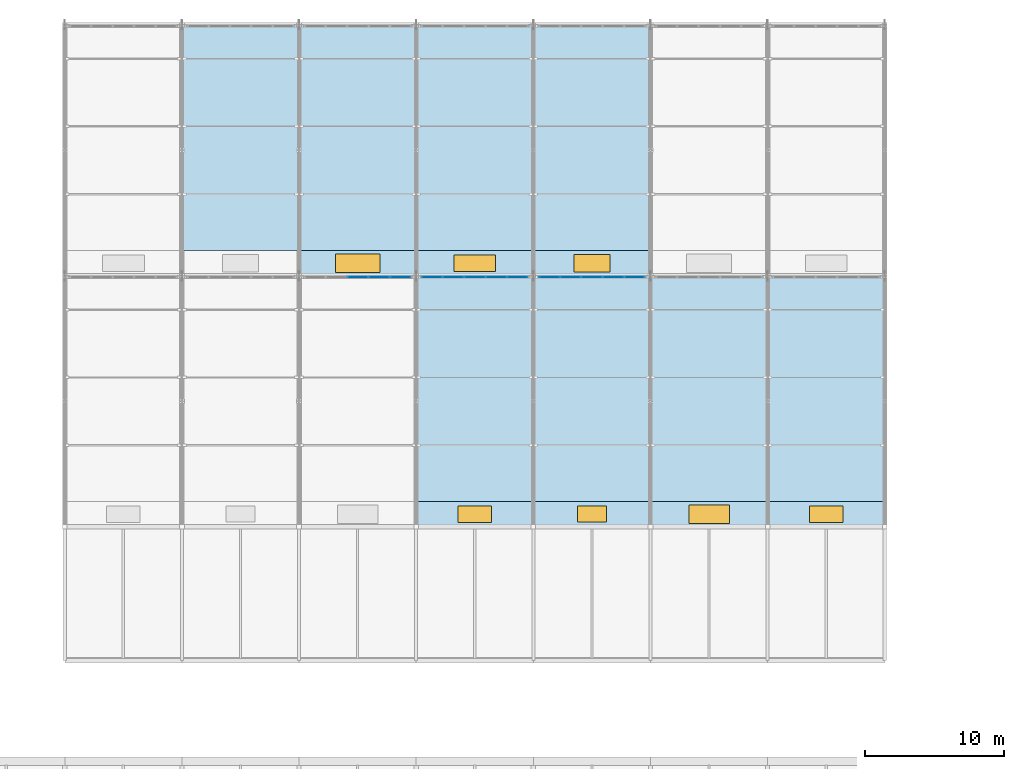
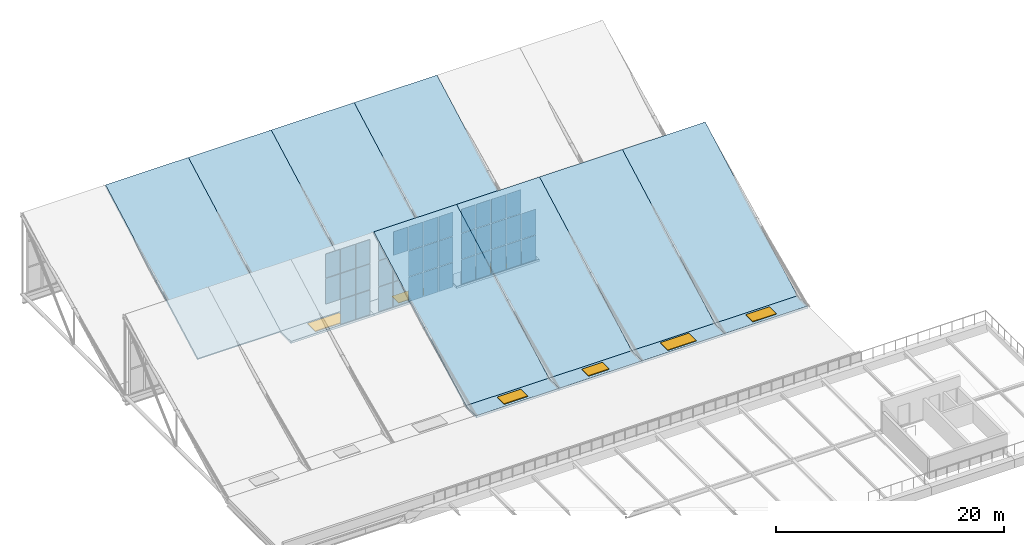
# One storey, part 30 of 38: 37 plates, 15 slabs, 7 windows, 7 openings, 3 elements without a shape of their own.
"""IFC4 building model written with IfcOpenShell, lengths in metres."""

import ifcopenshell
import ifcopenshell.guid

model = None  # the IFC model being written
_history = None  # IfcOwnerHistory: only IFC2X3 demands one
_inside = {}  # id of a spatial element -> (the spatial element, [elements in it])
_under = {}  # id of a project, library or spatial element -> (it, [spatial elements below it])
_declared = {}  # id of a project -> (the project, [libraries it declares])
_typed = {}  # id of a type object -> (the type object, [elements of that type])
_made_of = {}  # id of a material, layer set ... -> (it, [elements and type objects made of it])


def new_model(schema):
    """Start an empty IFC model of exactly this schema.

    Asked for "IFC4X3", IfcOpenShell would pick the latest addendum, in which some entities
    have other attributes; the version numbers below select the first issue.
    IFC2X3 requires an IfcOwnerHistory on every rooted entity: one is made here for all.
    """
    global model, _history
    if schema == "IFC4X3":
        model = ifcopenshell.file(schema_version=(4, 3, 0, 0))
    else:
        model = ifcopenshell.file(schema=schema)
    _inside.clear()
    _under.clear()
    _declared.clear()
    _typed.clear()
    _made_of.clear()
    _history = None
    if model.schema == "IFC2X3":
        org = make("IfcOrganization", Name="unknown")
        user = make(
            "IfcPersonAndOrganization",
            ThePerson=make("IfcPerson", FamilyName="unknown"),
            TheOrganization=org,
        )
        app = make(
            "IfcApplication",
            ApplicationDeveloper=org,
            Version="unknown",
            ApplicationFullName="unknown",
            ApplicationIdentifier="unknown",
        )
        _history = make(
            "IfcOwnerHistory",
            OwningUser=user,
            OwningApplication=app,
            ChangeAction="ADDED",
            CreationDate=0,
        )
    return model


def make(cls, **values):
    """One entity of the class cls with the attributes given. An attribute that is None is left unset."""
    return model.create_entity(
        cls, **{name: value for name, value in values.items() if value is not None}
    )


def rooted(cls, **values):
    """An entity with a GlobalId (a new one), such as an element, a storey or a relation."""
    return make(cls, GlobalId=ifcopenshell.guid.new(), OwnerHistory=_history, **values)


def si_unit(unit_type, name, prefix=None):
    """IfcSIUnit, for example si_unit("LENGTHUNIT", "METRE", prefix="MILLI")."""
    return make("IfcSIUnit", UnitType=unit_type, Prefix=prefix, Name=name)


def assignment(units):
    """IfcUnitAssignment: the units of a project."""
    return None if units is None else make("IfcUnitAssignment", Units=units)


def point(xyz):
    """IfcCartesianPoint."""
    return None if xyz is None else make("IfcCartesianPoint", Coordinates=xyz)


def direction(xyz):
    """IfcDirection."""
    return None if xyz is None else make("IfcDirection", DirectionRatios=xyz)


def frame(location, z_axis=None, x_axis=None):
    """IfcAxis2Placement3D, a coordinate frame: its origin and axes. An axis left out is left unset."""
    return make(
        "IfcAxis2Placement3D",
        Location=point(location),
        Axis=direction(z_axis),
        RefDirection=direction(x_axis),
    )


def frame_2d(location, x_axis=None):
    """IfcAxis2Placement2D, a coordinate frame in the plane: its origin and x axis."""
    return make(
        "IfcAxis2Placement2D", Location=point(location), RefDirection=direction(x_axis)
    )


def origin():
    """The frame at (0, 0, 0) with its axes left unset."""
    return frame((0.0, 0.0, 0.0))


def origin_2d():
    """The frame at (0, 0) in the plane with its x axis left unset."""
    return frame_2d((0.0, 0.0))


def place(relative_to, where):
    """IfcLocalPlacement: puts the frame where relative to a parent placement (None: the world)."""
    return make(
        "IfcLocalPlacement", PlacementRelTo=relative_to, RelativePlacement=where
    )


def context(
    kind, dimensions, precision=None, world=None, true_north=None, identifier=None
):
    """IfcGeometricRepresentationContext, for example the 3D "Model" context."""
    return make(
        "IfcGeometricRepresentationContext",
        ContextIdentifier=identifier,
        ContextType=kind,
        CoordinateSpaceDimension=dimensions,
        Precision=precision,
        WorldCoordinateSystem=world,
        TrueNorth=true_north,
    )


def subcontext(parent, identifier, kind, view, scale=None):
    """IfcGeometricRepresentationSubContext, for example "Body" below "Model"."""
    return make(
        "IfcGeometricRepresentationSubContext",
        ContextIdentifier=identifier,
        ContextType=kind,
        ParentContext=parent,
        TargetScale=scale,
        TargetView=view,
    )


def project(units=None, contexts=None):
    """IfcProject with its units and contexts."""
    return rooted(
        "IfcProject",
        Name="project",
        RepresentationContexts=contexts,
        UnitsInContext=assignment(units),
    )


def spatial(cls, under=None, at=None, **own):
    """A site, building, storey or space (cls), placed at a placement, below another one or the project."""
    s = rooted(cls, ObjectPlacement=at, **own)
    if under is not None:
        _under.setdefault(under.id(), (under, []))[1].append(s)
    return s


def polyline(points):
    """IfcPolyline through the points."""
    return make("IfcPolyline", Points=[point(p) for p in points])


def profile(cls, at=None, kind="AREA", **sizes):
    """A parametric profile (cls). Its sizes go by their IFC names, for example OverallWidth=200.0."""
    return make(cls, ProfileType=kind, Position=at, **sizes)


def rectangle(**sizes):
    """IfcRectangleProfileDef."""
    return profile("IfcRectangleProfileDef", **sizes)


def outline(outer, holes=None, kind="AREA"):
    """IfcArbitraryClosedProfileDef: a profile drawn as a closed curve; with holes, ...WithVoids."""
    if holes is None:
        return make("IfcArbitraryClosedProfileDef", ProfileType=kind, OuterCurve=outer)
    return make(
        "IfcArbitraryProfileDefWithVoids",
        ProfileType=kind,
        OuterCurve=outer,
        InnerCurves=holes,
    )


def extrude(swept, where, along, depth):
    """IfcExtrudedAreaSolid: the profile swept, set in the frame where, extruded along a direction by depth."""
    return make(
        "IfcExtrudedAreaSolid",
        SweptArea=swept,
        Position=where,
        ExtrudedDirection=direction(along),
        Depth=depth,
    )


def shape(context_of_items, identifier, shape_type, items):
    """IfcShapeRepresentation: the items that make up one representation, for example the "Body"."""
    return make(
        "IfcShapeRepresentation",
        ContextOfItems=context_of_items,
        RepresentationIdentifier=identifier,
        RepresentationType=shape_type,
        Items=items,
    )


def material(Name=None, Category=None):
    """IfcMaterial."""
    return make("IfcMaterial", Name=Name, Category=Category)


def layer(
    of_material, thickness, ventilated=None, Name=None, Category=None, Priority=None
):
    """IfcMaterialLayer: one layer of a wall or slab, of a material (None: an air gap)."""
    return make(
        "IfcMaterialLayer",
        Material=of_material,
        LayerThickness=thickness,
        IsVentilated=ventilated,
        Name=Name,
        Category=Category,
        Priority=Priority,
    )


def layer_set(layers, Name=None):
    """IfcMaterialLayerSet."""
    return make("IfcMaterialLayerSet", MaterialLayers=layers, LayerSetName=Name)


def made_of(thing, what):
    """Note that an element or type object is made of a material, layer set ...; save() writes the relation."""
    if what is not None:
        _made_of.setdefault(what.id(), (what, []))[1].append(thing)
    return thing


def type_object(cls, material=None, **own):
    """A type object (cls), such as IfcWallType, which elements share."""
    return made_of(rooted(cls, **own), material)


def element(
    cls,
    number,
    at=None,
    inside=None,
    cuts=None,
    type_object=None,
    material=None,
    context=None,
    identifier="Body",
    shape_type=None,
    held_by="IfcProductDefinitionShape",
    body=None,
    shapes=None,
    **own,
):
    """One element of the class cls, such as IfcWall. Its Tag is "e" and its number.

    at: its placement. inside: the storey or other place that contains it. cuts: it is an
    opening in that element (IfcRelVoidsElement). A single representation is given by context,
    identifier, shape_type and body (its items); several are given by shapes. held_by: the class
    of the entity that holds the representations. save() writes the other relations.
    """
    e = rooted(cls, Tag="e%d" % number, ObjectPlacement=at, **own)
    if body is not None:
        shapes = [shape(context, identifier, shape_type, body)]
    if shapes is not None:
        e.Representation = make(held_by, Representations=shapes)
    if inside is not None:
        _inside.setdefault(inside.id(), (inside, []))[1].append(e)
    if cuts is not None:
        rooted(
            "IfcRelVoidsElement", RelatingBuildingElement=cuts, RelatedOpeningElement=e
        )
    if type_object is not None:
        _typed.setdefault(type_object.id(), (type_object, []))[1].append(e)
    return made_of(e, material)


def fill(opening, filler):
    """IfcRelFillsElement: the door or window that sits in an opening."""
    return rooted(
        "IfcRelFillsElement",
        RelatingOpeningElement=opening,
        RelatedBuildingElement=filler,
    )


def aggregate(whole, parts):
    """IfcRelAggregates: a whole, such as a stair, and the parts it consists of."""
    return rooted("IfcRelAggregates", RelatingObject=whole, RelatedObjects=parts)


def save(model, path):
    """Write the relations noted so far, then the file.

    IfcRelAggregates (storeys below a building ...), IfcRelContainedInSpatialStructure (elements
    in a storey), IfcRelDefinesByType, IfcRelAssociatesMaterial and IfcRelDeclares: one each for
    every whole, place, type object, material and project.
    """
    for whole, parts in _under.values():
        aggregate(whole, parts)
    for where, things in _inside.values():
        rooted(
            "IfcRelContainedInSpatialStructure",
            RelatedElements=things,
            RelatingStructure=where,
        )
    for kind, things in _typed.values():
        rooted("IfcRelDefinesByType", RelatedObjects=things, RelatingType=kind)
    for what, things in _made_of.values():
        rooted("IfcRelAssociatesMaterial", RelatedObjects=things, RelatingMaterial=what)
    for by, libraries in _declared.values():
        rooted("IfcRelDeclares", RelatingContext=by, RelatedDefinitions=libraries)
    model.write(path)


model = new_model("IFC4")

# Units and contexts
model_context = context("Model", 3, precision=1e-05, world=origin(), true_north=direction((0.0, 1.0)))
body_context = subcontext(model_context, "Body", "Model", "MODEL_VIEW")
ifc_project = project(units=[si_unit("LENGTHUNIT", "METRE"), si_unit("AREAUNIT", "SQUARE_METRE"), si_unit("VOLUMEUNIT", "CUBIC_METRE"), si_unit("PLANEANGLEUNIT", "RADIAN"), si_unit("MASSUNIT", "GRAM", prefix="KILO")], contexts=[model_context])

# Site, building, storey
site_placement = place(None, origin())
site = spatial("IfcSite", under=ifc_project, at=site_placement, CompositionType="ELEMENT")
building_placement = place(site_placement, origin())
building = spatial("IfcBuilding", under=site, at=building_placement, Name="Veltarok Museum of Natural Sciences", CompositionType="ELEMENT")
storey_placement = place(building_placement, frame((0.0, 0.0, 31.199951171875)))
storey = spatial("IfcBuildingStorey", under=building, at=storey_placement, Name="RF", CompositionType="ELEMENT", Elevation=31.199951171875)

# Slab, opening, window
ifc_material_1 = material(Name="Concrete C35/45", Category="concrete")
ifc_layer_1 = layer(ifc_material_1, 0.239990234375)
ifc_layer_set_1 = layer_set([ifc_layer_1], Name="Concrete C35/45")
slab_type_1 = type_object("IfcSlabType", Name="Insulated Flat Wing Roof Slab 240", PredefinedType="ROOF", material=ifc_layer_set_1)
slab_1_placement = place(storey_placement, frame((0.0, 0.0, -6.0400390625)))
slab_1 = element("IfcSlab", 1, at=slab_1_placement, inside=storey, type_object=slab_type_1, Name="Sawtooth Valley Apron Slab 7-8 M2", PredefinedType="ROOF", context=body_context, shape_type="SweptSolid", body=[
    extrude(outline(polyline([(56.800048828125, 54.0), (65.199951171875, 54.0), (65.199951171875, 55.800048828125), (56.800048828125, 55.800048828125), (56.800048828125, 54.0)])), origin(), (0.0, 0.0, 1.0), 0.239990234375),
])
opening_1_placement = place(slab_1_placement, frame((61.0, 54.89990234375, -0.010009765625)))
opening_1 = element("IfcOpeningElement", 2, at=opening_1_placement, cuts=slab_1, Name="Opening SK-06", PredefinedType="OPENING", context=body_context, shape_type="SweptSolid", body=[
    extrude(rectangle(XDim=3.199951171875, YDim=1.35009765625, at=origin_2d()), origin(), (0.0, 0.0, 1.0), 0.320068359375),
])
ifc_material_2 = material(Name="Low-iron triple insulated glass", Category="glass")
window_type_1 = type_object("IfcWindowType", Name="Sawtooth Gallery Rooflight 3200x1350", PartitioningType="SINGLE_PANEL", PredefinedType="SKYLIGHT", material=ifc_material_2)
window_1_placement = place(slab_1_placement, frame((61.0, 54.89990234375, 0.239990234375)))
window_1 = element("IfcWindow", 3, at=window_1_placement, inside=storey, type_object=window_type_1, Name="Sawtooth North Rooflight SK-06", OverallHeight=1.35009765625, OverallWidth=3.199951171875, PartitioningType="SINGLE_PANEL", PredefinedType="SKYLIGHT", context=body_context, shape_type="SweptSolid", body=[
    extrude(rectangle(XDim=3.199951171875, YDim=1.35009765625, at=origin_2d()), origin(), (0.0, 0.0, 1.0), 0.06005859375),
])
fill(opening_1, window_1)

slab_2_placement = place(storey_placement, frame((0.0, 0.0, -6.0400390625)))
slab_2 = element("IfcSlab", 4, at=slab_2_placement, inside=storey, type_object=slab_type_1, Name="Sawtooth Valley Apron Slab 8-9 M1", PredefinedType="ROOF", context=body_context, shape_type="SweptSolid", body=[
    extrude(outline(polyline([(65.199951171875, 36.0), (73.60009765625, 36.0), (73.60009765625, 37.800048828125), (65.199951171875, 37.800048828125), (65.199951171875, 36.0)])), origin(), (0.0, 0.0, 1.0), 0.239990234375),
])
opening_2_placement = place(slab_2_placement, frame((69.39990234375, 36.89990234375, -0.010009765625)))
opening_2 = element("IfcOpeningElement", 5, at=opening_2_placement, cuts=slab_2, Name="Opening SK-07", PredefinedType="OPENING", context=body_context, shape_type="SweptSolid", body=[
    extrude(rectangle(XDim=2.39990234375, YDim=1.199951171875, at=origin_2d()), origin(), (0.0, 0.0, 1.0), 0.320068359375),
])
window_type_2 = type_object("IfcWindowType", Name="Sawtooth Valley North Rooflight 2400x1200", PartitioningType="SINGLE_PANEL", PredefinedType="SKYLIGHT", material=ifc_material_2)
window_2_placement = place(slab_2_placement, frame((69.39990234375, 36.89990234375, 0.239990234375)))
window_2 = element("IfcWindow", 6, at=window_2_placement, inside=storey, type_object=window_type_2, Name="Sawtooth North Rooflight SK-07", OverallHeight=1.199951171875, OverallWidth=2.39990234375, PartitioningType="SINGLE_PANEL", PredefinedType="SKYLIGHT", context=body_context, shape_type="SweptSolid", body=[
    extrude(rectangle(XDim=2.39990234375, YDim=1.199951171875, at=origin_2d()), origin(), (0.0, 0.0, 1.0), 0.06005859375),
])
fill(opening_2, window_2)

slab_3_placement = place(storey_placement, frame((0.0, 0.0, -6.0400390625)))
slab_3 = element("IfcSlab", 7, at=slab_3_placement, inside=storey, type_object=slab_type_1, Name="Sawtooth Valley Apron Slab 8-9 M2", PredefinedType="ROOF", context=body_context, shape_type="SweptSolid", body=[
    extrude(outline(polyline([(65.199951171875, 54.0), (73.60009765625, 54.0), (73.60009765625, 55.800048828125), (65.199951171875, 55.800048828125), (65.199951171875, 54.0)])), origin(), (0.0, 0.0, 1.0), 0.239990234375),
])
opening_3_placement = place(slab_3_placement, frame((69.39990234375, 54.89990234375, -0.010009765625)))
opening_3 = element("IfcOpeningElement", 8, at=opening_3_placement, cuts=slab_3, Name="Opening SK-08", PredefinedType="OPENING", context=body_context, shape_type="SweptSolid", body=[
    extrude(rectangle(XDim=3.0, YDim=1.199951171875, at=origin_2d()), origin(), (0.0, 0.0, 1.0), 0.320068359375),
])
window_type_3 = type_object("IfcWindowType", Name="Sawtooth Atrium North Rooflight 3000x1200", PartitioningType="SINGLE_PANEL", PredefinedType="SKYLIGHT", material=ifc_material_2)
window_3_placement = place(slab_3_placement, frame((69.39990234375, 54.89990234375, 0.239990234375)))
window_3 = element("IfcWindow", 9, at=window_3_placement, inside=storey, type_object=window_type_3, Name="Sawtooth North Rooflight SK-08", OverallHeight=1.199951171875, OverallWidth=3.0, PartitioningType="SINGLE_PANEL", PredefinedType="SKYLIGHT", context=body_context, shape_type="SweptSolid", body=[
    extrude(rectangle(XDim=3.0, YDim=1.199951171875, at=origin_2d()), origin(), (0.0, 0.0, 1.0), 0.06005859375),
])
fill(opening_3, window_3)

slab_4_placement = place(storey_placement, frame((0.0, 0.0, -6.0400390625)))
slab_4 = element("IfcSlab", 10, at=slab_4_placement, inside=storey, type_object=slab_type_1, Name="Sawtooth Valley Apron Slab 9-10 M1", PredefinedType="ROOF", context=body_context, shape_type="SweptSolid", body=[
    extrude(outline(polyline([(73.60009765625, 36.0), (82.0, 36.0), (82.0, 37.800048828125), (73.60009765625, 37.800048828125), (73.60009765625, 36.0)])), origin(), (0.0, 0.0, 1.0), 0.239990234375),
])
opening_4_placement = place(slab_4_placement, frame((77.800048828125, 36.89990234375, -0.010009765625)))
opening_4 = element("IfcOpeningElement", 11, at=opening_4_placement, cuts=slab_4, Name="Opening SK-09", PredefinedType="OPENING", context=body_context, shape_type="SweptSolid", body=[
    extrude(rectangle(XDim=2.10009765625, YDim=1.14990234375, at=origin_2d()), origin(), (0.0, 0.0, 1.0), 0.320068359375),
])
window_type_4 = type_object("IfcWindowType", Name="Sawtooth Gallery Rooflight 2100x1150", PartitioningType="SINGLE_PANEL", PredefinedType="SKYLIGHT", material=ifc_material_2)
window_4_placement = place(slab_4_placement, frame((77.800048828125, 36.89990234375, 0.239990234375)))
window_4 = element("IfcWindow", 12, at=window_4_placement, inside=storey, type_object=window_type_4, Name="Sawtooth North Rooflight SK-09", OverallHeight=1.14990234375, OverallWidth=2.10009765625, PartitioningType="SINGLE_PANEL", PredefinedType="SKYLIGHT", context=body_context, shape_type="SweptSolid", body=[
    extrude(rectangle(XDim=2.10009765625, YDim=1.14990234375, at=origin_2d()), origin(), (0.0, 0.0, 1.0), 0.06005859375),
])
fill(opening_4, window_4)

slab_5_placement = place(storey_placement, frame((0.0, 0.0, -6.0400390625)))
slab_5 = element("IfcSlab", 13, at=slab_5_placement, inside=storey, type_object=slab_type_1, Name="Sawtooth Valley Apron Slab 9-10 M2", PredefinedType="ROOF", context=body_context, shape_type="SweptSolid", body=[
    extrude(outline(polyline([(73.60009765625, 54.0), (82.0, 54.0), (82.0, 55.800048828125), (73.60009765625, 55.800048828125), (73.60009765625, 54.0)])), origin(), (0.0, 0.0, 1.0), 0.239990234375),
])
opening_5_placement = place(slab_5_placement, frame((77.800048828125, 54.89990234375, -0.010009765625)))
opening_5 = element("IfcOpeningElement", 14, at=opening_5_placement, cuts=slab_5, Name="Opening SK-10", PredefinedType="OPENING", context=body_context, shape_type="SweptSolid", body=[
    extrude(rectangle(XDim=2.60009765625, YDim=1.25, at=origin_2d()), origin(), (0.0, 0.0, 1.0), 0.320068359375),
])
window_type_5 = type_object("IfcWindowType", Name="Sawtooth Gallery Rooflight 2600x1250", PartitioningType="SINGLE_PANEL", PredefinedType="SKYLIGHT", material=ifc_material_2)
window_5_placement = place(slab_5_placement, frame((77.800048828125, 54.89990234375, 0.239990234375)))
window_5 = element("IfcWindow", 15, at=window_5_placement, inside=storey, type_object=window_type_5, Name="Sawtooth North Rooflight SK-10", OverallHeight=1.25, OverallWidth=2.60009765625, PartitioningType="SINGLE_PANEL", PredefinedType="SKYLIGHT", context=body_context, shape_type="SweptSolid", body=[
    extrude(rectangle(XDim=2.60009765625, YDim=1.25, at=origin_2d()), origin(), (0.0, 0.0, 1.0), 0.06005859375),
])
fill(opening_5, window_5)

slab_6_placement = place(storey_placement, frame((0.0, 0.0, -6.0400390625)))
slab_6 = element("IfcSlab", 16, at=slab_6_placement, inside=storey, type_object=slab_type_1, Name="Sawtooth Valley Apron Slab 10-11 M1", PredefinedType="ROOF", context=body_context, shape_type="SweptSolid", body=[
    extrude(outline(polyline([(82.0, 36.0), (90.39990234375, 36.0), (90.39990234375, 37.800048828125), (82.0, 37.800048828125), (82.0, 36.0)])), origin(), (0.0, 0.0, 1.0), 0.239990234375),
])
opening_6_placement = place(slab_6_placement, frame((86.199951171875, 36.89990234375, -0.010009765625)))
opening_6 = element("IfcOpeningElement", 17, at=opening_6_placement, cuts=slab_6, Name="Opening SK-11", PredefinedType="OPENING", context=body_context, shape_type="SweptSolid", body=[
    extrude(rectangle(XDim=2.89990234375, YDim=1.300048828125, at=origin_2d()), origin(), (0.0, 0.0, 1.0), 0.320068359375),
])
window_type_6 = type_object("IfcWindowType", Name="Sawtooth Gallery Rooflight 2900x1300", PartitioningType="SINGLE_PANEL", PredefinedType="SKYLIGHT", material=ifc_material_2)
window_6_placement = place(slab_6_placement, frame((86.199951171875, 36.89990234375, 0.239990234375)))
window_6 = element("IfcWindow", 18, at=window_6_placement, inside=storey, type_object=window_type_6, Name="Sawtooth North Rooflight SK-11", OverallHeight=1.300048828125, OverallWidth=2.89990234375, PartitioningType="SINGLE_PANEL", PredefinedType="SKYLIGHT", context=body_context, shape_type="SweptSolid", body=[
    extrude(rectangle(XDim=2.89990234375, YDim=1.300048828125, at=origin_2d()), origin(), (0.0, 0.0, 1.0), 0.06005859375),
])
fill(opening_6, window_6)

slab_7_placement = place(storey_placement, frame((0.0, 0.0, -6.0400390625)))
slab_7 = element("IfcSlab", 19, at=slab_7_placement, inside=storey, type_object=slab_type_1, Name="Sawtooth Valley Apron Slab 11-12 M1", PredefinedType="ROOF", context=body_context, shape_type="SweptSolid", body=[
    extrude(outline(polyline([(90.39990234375, 36.0), (98.800048828125, 36.0), (98.800048828125, 37.800048828125), (90.39990234375, 37.800048828125), (90.39990234375, 36.0)])), origin(), (0.0, 0.0, 1.0), 0.239990234375),
])
opening_7_placement = place(slab_7_placement, frame((94.60009765625, 36.89990234375, -0.010009765625)))
opening_7 = element("IfcOpeningElement", 20, at=opening_7_placement, cuts=slab_7, Name="Opening SK-13", PredefinedType="OPENING", context=body_context, shape_type="SweptSolid", body=[
    extrude(rectangle(XDim=2.39990234375, YDim=1.199951171875, at=origin_2d()), origin(), (0.0, 0.0, 1.0), 0.320068359375),
])
window_7_placement = place(slab_7_placement, frame((94.60009765625, 36.89990234375, 0.239990234375)))
window_7 = element("IfcWindow", 21, at=window_7_placement, inside=storey, type_object=window_type_2, Name="Sawtooth North Rooflight SK-13", OverallHeight=1.199951171875, OverallWidth=2.39990234375, PartitioningType="SINGLE_PANEL", PredefinedType="SKYLIGHT", context=body_context, shape_type="SweptSolid", body=[
    extrude(rectangle(XDim=2.39990234375, YDim=1.199951171875, at=origin_2d()), origin(), (0.0, 0.0, 1.0), 0.06005859375),
])
fill(opening_7, window_7)

# Curtain wall, plates
curtain_wall_type = type_object("IfcCurtainWallType", Name="Curtain Wall System CW-SAW-M1-768x817 (Sawtooth North Clerestory M1 768x817cm)", PredefinedType="NOTDEFINED", material=ifc_material_2)
curtain_wall_1_placement = place(storey_placement, origin())
curtain_wall_1 = element("IfcCurtainWall", 22, at=curtain_wall_1_placement, inside=storey, type_object=curtain_wall_type, Name="Curtain Wall CW-SAW-M1-768x817 CW-SAW-0076", PredefinedType="NOTDEFINED")
ifc_layer_2 = layer(ifc_material_2, 0.031982421875)
ifc_layer_set_2 = layer_set([ifc_layer_2], Name="Low-iron triple insulated glass")
plate_type = type_object("IfcPlateType", Name="North-Light Diffusing Triple Glazed Panel 32", PredefinedType="CURTAIN_PANEL", material=ifc_layer_set_2)
plate_1_placement = place(storey_placement, frame((64.056884765625, 53.919921875, -5.659912109375), z_axis=(0.0, 0.0, 1.0), x_axis=(-1.0, 0.0, 0.0)))
plate_1 = element("IfcPlate", 23, at=plate_1_placement, type_object=plate_type, Name="CW-SAW-M1-768x817 panel 1.1", PredefinedType="CURTAIN_PANEL", context=body_context, shape_type="SweptSolid", body=[
    extrude(rectangle(XDim=1.446044921875, YDim=0.031982421875, at=origin_2d()), origin(), (0.0, 0.0, 1.0), 2.6298828125),
])
plate_2_placement = place(storey_placement, frame((64.056884765625, 53.919921875, -2.9697265625), z_axis=(0.0, 0.0, 1.0), x_axis=(-1.0, 0.0, 0.0)))
plate_2 = element("IfcPlate", 24, at=plate_2_placement, type_object=plate_type, Name="CW-SAW-M1-768x817 panel 1.2", PredefinedType="CURTAIN_PANEL", context=body_context, shape_type="SweptSolid", body=[
    extrude(rectangle(XDim=1.446044921875, YDim=0.031982421875, at=origin_2d()), origin(), (0.0, 0.0, 1.0), 2.739990234375),
])
plate_3_placement = place(storey_placement, frame((64.056884765625, 53.919921875, -0.169921875), z_axis=(0.0, 0.0, 1.0), x_axis=(-1.0, 0.0, 0.0)))
plate_3 = element("IfcPlate", 25, at=plate_3_placement, type_object=plate_type, Name="CW-SAW-M1-768x817 panel 1.3", PredefinedType="CURTAIN_PANEL", context=body_context, shape_type="SweptSolid", body=[
    extrude(rectangle(XDim=1.446044921875, YDim=0.031982421875, at=origin_2d()), origin(), (0.0, 0.0, 1.0), 2.56005859375),
])
plate_4_placement = place(storey_placement, frame((62.535888671875, 53.919921875, -5.659912109375), z_axis=(0.0, 0.0, 1.0), x_axis=(-1.0, 0.0, 0.0)))
plate_4 = element("IfcPlate", 26, at=plate_4_placement, type_object=plate_type, Name="CW-SAW-M1-768x817 panel 2.1", PredefinedType="CURTAIN_PANEL", context=body_context, shape_type="SweptSolid", body=[
    extrude(rectangle(XDim=1.47607421875, YDim=0.031982421875, at=origin_2d()), origin(), (0.0, 0.0, 1.0), 2.6298828125),
])
plate_5_placement = place(storey_placement, frame((62.535888671875, 53.919921875, -2.9697265625), z_axis=(0.0, 0.0, 1.0), x_axis=(-1.0, 0.0, 0.0)))
plate_5 = element("IfcPlate", 27, at=plate_5_placement, type_object=plate_type, Name="CW-SAW-M1-768x817 panel 2.2", PredefinedType="CURTAIN_PANEL", context=body_context, shape_type="SweptSolid", body=[
    extrude(rectangle(XDim=1.47607421875, YDim=0.031982421875, at=origin_2d()), origin(), (0.0, 0.0, 1.0), 2.739990234375),
])
plate_6_placement = place(storey_placement, frame((62.535888671875, 53.919921875, -0.169921875), z_axis=(0.0, 0.0, 1.0), x_axis=(-1.0, 0.0, 0.0)))
plate_6 = element("IfcPlate", 28, at=plate_6_placement, type_object=plate_type, Name="CW-SAW-M1-768x817 panel 2.3", PredefinedType="CURTAIN_PANEL", context=body_context, shape_type="SweptSolid", body=[
    extrude(rectangle(XDim=1.47607421875, YDim=0.031982421875, at=origin_2d()), origin(), (0.0, 0.0, 1.0), 2.56005859375),
])
plate_7_placement = place(storey_placement, frame((61.0, 53.919921875, -2.9697265625), z_axis=(0.0, 0.0, 1.0), x_axis=(-1.0, 0.0, 0.0)))
plate_7 = element("IfcPlate", 29, at=plate_7_placement, type_object=plate_type, Name="CW-SAW-M1-768x817 panel 3.2", PredefinedType="CURTAIN_PANEL", context=body_context, shape_type="SweptSolid", body=[
    extrude(rectangle(XDim=1.47607421875, YDim=0.031982421875, at=origin_2d()), origin(), (0.0, 0.0, 1.0), 2.739990234375),
])
plate_8_placement = place(storey_placement, frame((61.0, 53.919921875, -0.169921875), z_axis=(0.0, 0.0, 1.0), x_axis=(-1.0, 0.0, 0.0)))
plate_8 = element("IfcPlate", 30, at=plate_8_placement, type_object=plate_type, Name="CW-SAW-M1-768x817 panel 3.3", PredefinedType="CURTAIN_PANEL", context=body_context, shape_type="SweptSolid", body=[
    extrude(rectangle(XDim=1.47607421875, YDim=0.031982421875, at=origin_2d()), origin(), (0.0, 0.0, 1.0), 2.56005859375),
])
aggregate(curtain_wall_1, [plate_1, plate_2, plate_3, plate_4, plate_5, plate_6, plate_7, plate_8])

curtain_wall_2_placement = place(storey_placement, origin())
curtain_wall_2 = element("IfcCurtainWall", 31, at=curtain_wall_2_placement, inside=storey, type_object=curtain_wall_type, Name="Curtain Wall CW-SAW-M1-768x817 CW-SAW-0078", PredefinedType="NOTDEFINED")
plate_9_placement = place(storey_placement, frame((72.45703125, 53.919921875, -5.659912109375), z_axis=(0.0, 0.0, 1.0), x_axis=(-1.0, 0.0, 0.0)))
plate_9 = element("IfcPlate", 32, at=plate_9_placement, type_object=plate_type, Name="CW-SAW-M1-768x817 panel 1.1", PredefinedType="CURTAIN_PANEL", context=body_context, shape_type="SweptSolid", body=[
    extrude(rectangle(XDim=1.446044921875, YDim=0.031982421875, at=origin_2d()), origin(), (0.0, 0.0, 1.0), 2.6298828125),
])
plate_10_placement = place(storey_placement, frame((72.45703125, 53.919921875, -2.9697265625), z_axis=(0.0, 0.0, 1.0), x_axis=(-1.0, 0.0, 0.0)))
plate_10 = element("IfcPlate", 33, at=plate_10_placement, type_object=plate_type, Name="CW-SAW-M1-768x817 panel 1.2", PredefinedType="CURTAIN_PANEL", context=body_context, shape_type="SweptSolid", body=[
    extrude(rectangle(XDim=1.446044921875, YDim=0.031982421875, at=origin_2d()), origin(), (0.0, 0.0, 1.0), 2.739990234375),
])
plate_11_placement = place(storey_placement, frame((72.45703125, 53.919921875, -0.169921875), z_axis=(0.0, 0.0, 1.0), x_axis=(-1.0, 0.0, 0.0)))
plate_11 = element("IfcPlate", 34, at=plate_11_placement, type_object=plate_type, Name="CW-SAW-M1-768x817 panel 1.3", PredefinedType="CURTAIN_PANEL", context=body_context, shape_type="SweptSolid", body=[
    extrude(rectangle(XDim=1.446044921875, YDim=0.031982421875, at=origin_2d()), origin(), (0.0, 0.0, 1.0), 2.56005859375),
])
plate_12_placement = place(storey_placement, frame((70.93603515625, 53.919921875, -5.659912109375), z_axis=(0.0, 0.0, 1.0), x_axis=(-1.0, 0.0, 0.0)))
plate_12 = element("IfcPlate", 35, at=plate_12_placement, type_object=plate_type, Name="CW-SAW-M1-768x817 panel 2.1", PredefinedType="CURTAIN_PANEL", context=body_context, shape_type="SweptSolid", body=[
    extrude(rectangle(XDim=1.47607421875, YDim=0.031982421875, at=origin_2d()), origin(), (0.0, 0.0, 1.0), 2.6298828125),
])
plate_13_placement = place(storey_placement, frame((70.93603515625, 53.919921875, -2.9697265625), z_axis=(0.0, 0.0, 1.0), x_axis=(-1.0, 0.0, 0.0)))
plate_13 = element("IfcPlate", 36, at=plate_13_placement, type_object=plate_type, Name="CW-SAW-M1-768x817 panel 2.2", PredefinedType="CURTAIN_PANEL", context=body_context, shape_type="SweptSolid", body=[
    extrude(rectangle(XDim=1.47607421875, YDim=0.031982421875, at=origin_2d()), origin(), (0.0, 0.0, 1.0), 2.739990234375),
])
plate_14_placement = place(storey_placement, frame((70.93603515625, 53.919921875, -0.169921875), z_axis=(0.0, 0.0, 1.0), x_axis=(-1.0, 0.0, 0.0)))
plate_14 = element("IfcPlate", 37, at=plate_14_placement, type_object=plate_type, Name="CW-SAW-M1-768x817 panel 2.3", PredefinedType="CURTAIN_PANEL", context=body_context, shape_type="SweptSolid", body=[
    extrude(rectangle(XDim=1.47607421875, YDim=0.031982421875, at=origin_2d()), origin(), (0.0, 0.0, 1.0), 2.56005859375),
])
plate_15_placement = place(storey_placement, frame((69.39990234375, 53.919921875, -5.659912109375), z_axis=(0.0, 0.0, 1.0), x_axis=(-1.0, 0.0, 0.0)))
plate_15 = element("IfcPlate", 38, at=plate_15_placement, type_object=plate_type, Name="CW-SAW-M1-768x817 panel 3.1", PredefinedType="CURTAIN_PANEL", context=body_context, shape_type="SweptSolid", body=[
    extrude(rectangle(XDim=1.47607421875, YDim=0.031982421875, at=origin_2d()), origin(), (0.0, 0.0, 1.0), 2.6298828125),
])
plate_16_placement = place(storey_placement, frame((69.39990234375, 53.919921875, -2.9697265625), z_axis=(0.0, 0.0, 1.0), x_axis=(-1.0, 0.0, 0.0)))
plate_16 = element("IfcPlate", 39, at=plate_16_placement, type_object=plate_type, Name="CW-SAW-M1-768x817 panel 3.2", PredefinedType="CURTAIN_PANEL", context=body_context, shape_type="SweptSolid", body=[
    extrude(rectangle(XDim=1.47607421875, YDim=0.031982421875, at=origin_2d()), origin(), (0.0, 0.0, 1.0), 2.739990234375),
])
plate_17_placement = place(storey_placement, frame((69.39990234375, 53.919921875, -0.169921875), z_axis=(0.0, 0.0, 1.0), x_axis=(-1.0, 0.0, 0.0)))
plate_17 = element("IfcPlate", 40, at=plate_17_placement, type_object=plate_type, Name="CW-SAW-M1-768x817 panel 3.3", PredefinedType="CURTAIN_PANEL", context=body_context, shape_type="SweptSolid", body=[
    extrude(rectangle(XDim=1.47607421875, YDim=0.031982421875, at=origin_2d()), origin(), (0.0, 0.0, 1.0), 2.56005859375),
])
plate_18_placement = place(storey_placement, frame((67.864013671875, 53.919921875, -5.659912109375), z_axis=(0.0, 0.0, 1.0), x_axis=(-1.0, 0.0, 0.0)))
plate_18 = element("IfcPlate", 41, at=plate_18_placement, type_object=plate_type, Name="CW-SAW-M1-768x817 panel 4.1", PredefinedType="CURTAIN_PANEL", context=body_context, shape_type="SweptSolid", body=[
    extrude(rectangle(XDim=1.47607421875, YDim=0.031982421875, at=origin_2d()), origin(), (0.0, 0.0, 1.0), 2.6298828125),
])
plate_19_placement = place(storey_placement, frame((67.864013671875, 53.919921875, -2.9697265625), z_axis=(0.0, 0.0, 1.0), x_axis=(-1.0, 0.0, 0.0)))
plate_19 = element("IfcPlate", 42, at=plate_19_placement, type_object=plate_type, Name="CW-SAW-M1-768x817 panel 4.2", PredefinedType="CURTAIN_PANEL", context=body_context, shape_type="SweptSolid", body=[
    extrude(rectangle(XDim=1.47607421875, YDim=0.031982421875, at=origin_2d()), origin(), (0.0, 0.0, 1.0), 2.739990234375),
])
plate_20_placement = place(storey_placement, frame((67.864013671875, 53.919921875, -0.169921875), z_axis=(0.0, 0.0, 1.0), x_axis=(-1.0, 0.0, 0.0)))
plate_20 = element("IfcPlate", 43, at=plate_20_placement, type_object=plate_type, Name="CW-SAW-M1-768x817 panel 4.3", PredefinedType="CURTAIN_PANEL", context=body_context, shape_type="SweptSolid", body=[
    extrude(rectangle(XDim=1.47607421875, YDim=0.031982421875, at=origin_2d()), origin(), (0.0, 0.0, 1.0), 2.56005859375),
])
plate_21_placement = place(storey_placement, frame((66.343017578125, 53.919921875, -5.659912109375), z_axis=(0.0, 0.0, 1.0), x_axis=(-1.0, 0.0, 0.0)))
plate_21 = element("IfcPlate", 44, at=plate_21_placement, type_object=plate_type, Name="CW-SAW-M1-768x817 panel 5.1", PredefinedType="CURTAIN_PANEL", context=body_context, shape_type="SweptSolid", body=[
    extrude(rectangle(XDim=1.446044921875, YDim=0.031982421875, at=origin_2d()), origin(), (0.0, 0.0, 1.0), 2.6298828125),
])
plate_22_placement = place(storey_placement, frame((66.343017578125, 53.919921875, -2.9697265625), z_axis=(0.0, 0.0, 1.0), x_axis=(-1.0, 0.0, 0.0)))
plate_22 = element("IfcPlate", 45, at=plate_22_placement, type_object=plate_type, Name="CW-SAW-M1-768x817 panel 5.2", PredefinedType="CURTAIN_PANEL", context=body_context, shape_type="SweptSolid", body=[
    extrude(rectangle(XDim=1.446044921875, YDim=0.031982421875, at=origin_2d()), origin(), (0.0, 0.0, 1.0), 2.739990234375),
])
plate_23_placement = place(storey_placement, frame((66.343017578125, 53.919921875, -0.169921875), z_axis=(0.0, 0.0, 1.0), x_axis=(-1.0, 0.0, 0.0)))
plate_23 = element("IfcPlate", 46, at=plate_23_placement, type_object=plate_type, Name="CW-SAW-M1-768x817 panel 5.3", PredefinedType="CURTAIN_PANEL", context=body_context, shape_type="SweptSolid", body=[
    extrude(rectangle(XDim=1.446044921875, YDim=0.031982421875, at=origin_2d()), origin(), (0.0, 0.0, 1.0), 2.56005859375),
])
aggregate(curtain_wall_2, [plate_9, plate_10, plate_11, plate_12, plate_13, plate_14, plate_15, plate_16, plate_17, plate_18, plate_19, plate_20, plate_21, plate_22, plate_23])

curtain_wall_3_placement = place(storey_placement, origin())
curtain_wall_3 = element("IfcCurtainWall", 47, at=curtain_wall_3_placement, inside=storey, type_object=curtain_wall_type, Name="Curtain Wall CW-SAW-M1-768x817 CW-SAW-0080", PredefinedType="NOTDEFINED")
plate_24_placement = place(storey_placement, frame((80.85693359375, 53.919921875, -5.659912109375), z_axis=(0.0, 0.0, 1.0), x_axis=(-1.0, 0.0, 0.0)))
plate_24 = element("IfcPlate", 48, at=plate_24_placement, type_object=plate_type, Name="CW-SAW-M1-768x817 panel 1.1", PredefinedType="CURTAIN_PANEL", context=body_context, shape_type="SweptSolid", body=[
    extrude(rectangle(XDim=1.446044921875, YDim=0.031982421875, at=origin_2d()), origin(), (0.0, 0.0, 1.0), 2.6298828125),
])
plate_25_placement = place(storey_placement, frame((80.85693359375, 53.919921875, -2.9697265625), z_axis=(0.0, 0.0, 1.0), x_axis=(-1.0, 0.0, 0.0)))
plate_25 = element("IfcPlate", 49, at=plate_25_placement, type_object=plate_type, Name="CW-SAW-M1-768x817 panel 1.2", PredefinedType="CURTAIN_PANEL", context=body_context, shape_type="SweptSolid", body=[
    extrude(rectangle(XDim=1.446044921875, YDim=0.031982421875, at=origin_2d()), origin(), (0.0, 0.0, 1.0), 2.739990234375),
])
plate_26_placement = place(storey_placement, frame((79.3359375, 53.919921875, -5.659912109375), z_axis=(0.0, 0.0, 1.0), x_axis=(-1.0, 0.0, 0.0)))
plate_26 = element("IfcPlate", 50, at=plate_26_placement, type_object=plate_type, Name="CW-SAW-M1-768x817 panel 2.1", PredefinedType="CURTAIN_PANEL", context=body_context, shape_type="SweptSolid", body=[
    extrude(rectangle(XDim=1.47607421875, YDim=0.031982421875, at=origin_2d()), origin(), (0.0, 0.0, 1.0), 2.6298828125),
])
plate_27_placement = place(storey_placement, frame((79.3359375, 53.919921875, -2.9697265625), z_axis=(0.0, 0.0, 1.0), x_axis=(-1.0, 0.0, 0.0)))
plate_27 = element("IfcPlate", 51, at=plate_27_placement, type_object=plate_type, Name="CW-SAW-M1-768x817 panel 2.2", PredefinedType="CURTAIN_PANEL", context=body_context, shape_type="SweptSolid", body=[
    extrude(rectangle(XDim=1.47607421875, YDim=0.031982421875, at=origin_2d()), origin(), (0.0, 0.0, 1.0), 2.739990234375),
])
plate_28_placement = place(storey_placement, frame((79.3359375, 53.919921875, -0.169921875), z_axis=(0.0, 0.0, 1.0), x_axis=(-1.0, 0.0, 0.0)))
plate_28 = element("IfcPlate", 52, at=plate_28_placement, type_object=plate_type, Name="CW-SAW-M1-768x817 panel 2.3", PredefinedType="CURTAIN_PANEL", context=body_context, shape_type="SweptSolid", body=[
    extrude(rectangle(XDim=1.47607421875, YDim=0.031982421875, at=origin_2d()), origin(), (0.0, 0.0, 1.0), 2.56005859375),
])
plate_29_placement = place(storey_placement, frame((77.800048828125, 53.919921875, -5.659912109375), z_axis=(0.0, 0.0, 1.0), x_axis=(-1.0, 0.0, 0.0)))
plate_29 = element("IfcPlate", 53, at=plate_29_placement, type_object=plate_type, Name="CW-SAW-M1-768x817 panel 3.1", PredefinedType="CURTAIN_PANEL", context=body_context, shape_type="SweptSolid", body=[
    extrude(rectangle(XDim=1.47607421875, YDim=0.031982421875, at=origin_2d()), origin(), (0.0, 0.0, 1.0), 2.6298828125),
])
plate_30_placement = place(storey_placement, frame((77.800048828125, 53.919921875, -2.9697265625), z_axis=(0.0, 0.0, 1.0), x_axis=(-1.0, 0.0, 0.0)))
plate_30 = element("IfcPlate", 54, at=plate_30_placement, type_object=plate_type, Name="CW-SAW-M1-768x817 panel 3.2", PredefinedType="CURTAIN_PANEL", context=body_context, shape_type="SweptSolid", body=[
    extrude(rectangle(XDim=1.47607421875, YDim=0.031982421875, at=origin_2d()), origin(), (0.0, 0.0, 1.0), 2.739990234375),
])
plate_31_placement = place(storey_placement, frame((77.800048828125, 53.919921875, -0.169921875), z_axis=(0.0, 0.0, 1.0), x_axis=(-1.0, 0.0, 0.0)))
plate_31 = element("IfcPlate", 55, at=plate_31_placement, type_object=plate_type, Name="CW-SAW-M1-768x817 panel 3.3", PredefinedType="CURTAIN_PANEL", context=body_context, shape_type="SweptSolid", body=[
    extrude(rectangle(XDim=1.47607421875, YDim=0.031982421875, at=origin_2d()), origin(), (0.0, 0.0, 1.0), 2.56005859375),
])
plate_32_placement = place(storey_placement, frame((76.263916015625, 53.919921875, -5.659912109375), z_axis=(0.0, 0.0, 1.0), x_axis=(-1.0, 0.0, 0.0)))
plate_32 = element("IfcPlate", 56, at=plate_32_placement, type_object=plate_type, Name="CW-SAW-M1-768x817 panel 4.1", PredefinedType="CURTAIN_PANEL", context=body_context, shape_type="SweptSolid", body=[
    extrude(rectangle(XDim=1.47607421875, YDim=0.031982421875, at=origin_2d()), origin(), (0.0, 0.0, 1.0), 2.6298828125),
])
plate_33_placement = place(storey_placement, frame((76.263916015625, 53.919921875, -2.9697265625), z_axis=(0.0, 0.0, 1.0), x_axis=(-1.0, 0.0, 0.0)))
plate_33 = element("IfcPlate", 57, at=plate_33_placement, type_object=plate_type, Name="CW-SAW-M1-768x817 panel 4.2", PredefinedType="CURTAIN_PANEL", context=body_context, shape_type="SweptSolid", body=[
    extrude(rectangle(XDim=1.47607421875, YDim=0.031982421875, at=origin_2d()), origin(), (0.0, 0.0, 1.0), 2.739990234375),
])
plate_34_placement = place(storey_placement, frame((76.263916015625, 53.919921875, -0.169921875), z_axis=(0.0, 0.0, 1.0), x_axis=(-1.0, 0.0, 0.0)))
plate_34 = element("IfcPlate", 58, at=plate_34_placement, type_object=plate_type, Name="CW-SAW-M1-768x817 panel 4.3", PredefinedType="CURTAIN_PANEL", context=body_context, shape_type="SweptSolid", body=[
    extrude(rectangle(XDim=1.47607421875, YDim=0.031982421875, at=origin_2d()), origin(), (0.0, 0.0, 1.0), 2.56005859375),
])
plate_35_placement = place(storey_placement, frame((74.742919921875, 53.919921875, -5.659912109375), z_axis=(0.0, 0.0, 1.0), x_axis=(-1.0, 0.0, 0.0)))
plate_35 = element("IfcPlate", 59, at=plate_35_placement, type_object=plate_type, Name="CW-SAW-M1-768x817 panel 5.1", PredefinedType="CURTAIN_PANEL", context=body_context, shape_type="SweptSolid", body=[
    extrude(rectangle(XDim=1.446044921875, YDim=0.031982421875, at=origin_2d()), origin(), (0.0, 0.0, 1.0), 2.6298828125),
])
plate_36_placement = place(storey_placement, frame((74.742919921875, 53.919921875, -2.9697265625), z_axis=(0.0, 0.0, 1.0), x_axis=(-1.0, 0.0, 0.0)))
plate_36 = element("IfcPlate", 60, at=plate_36_placement, type_object=plate_type, Name="CW-SAW-M1-768x817 panel 5.2", PredefinedType="CURTAIN_PANEL", context=body_context, shape_type="SweptSolid", body=[
    extrude(rectangle(XDim=1.446044921875, YDim=0.031982421875, at=origin_2d()), origin(), (0.0, 0.0, 1.0), 2.739990234375),
])
plate_37_placement = place(storey_placement, frame((74.742919921875, 53.919921875, -0.169921875), z_axis=(0.0, 0.0, 1.0), x_axis=(-1.0, 0.0, 0.0)))
plate_37 = element("IfcPlate", 61, at=plate_37_placement, type_object=plate_type, Name="CW-SAW-M1-768x817 panel 5.3", PredefinedType="CURTAIN_PANEL", context=body_context, shape_type="SweptSolid", body=[
    extrude(rectangle(XDim=1.446044921875, YDim=0.031982421875, at=origin_2d()), origin(), (0.0, 0.0, 1.0), 2.56005859375),
])
aggregate(curtain_wall_3, [plate_24, plate_25, plate_26, plate_27, plate_28, plate_29, plate_30, plate_31, plate_32, plate_33, plate_34, plate_35, plate_36, plate_37])

# Slabs
ifc_material_3 = material(Name="Precast concrete C40/50", Category="concrete")
ifc_layer_3 = layer(ifc_material_3, 0.219970703125)
ifc_layer_set_3 = layer_set([ifc_layer_3], Name="Precast concrete C40/50")
slab_type_2 = type_object("IfcSlabType", Name="Sawtooth North-Light Sloped Roof Deck 220", PredefinedType="ROOF", material=ifc_layer_set_3)
slab_8_placement = place(storey_placement, frame((48.39990234375, 55.800048828125, -5.800048828125), z_axis=(0.0, -0.477334405559, 0.878721722316), x_axis=(1.0, 0.0, 0.0)))
element("IfcSlab", 62, at=slab_8_placement, inside=storey, type_object=slab_type_2, Name="Sawtooth Sloped Roof Slab 6-7 M2", PredefinedType="ROOF", context=body_context, shape_type="SweptSolid", body=[
    extrude(outline(polyline([(0.0, 0.0), (8.400146484375, 0.0), (8.400146484375, 18.435815071444992), (0.0, 18.435815071444992), (0.0, 0.0)])), origin(), (0.0, 0.0, -1.0), 0.219970703125),
])
slab_9_placement = place(storey_placement, frame((56.800048828125, 55.800048828125, -5.800048828125), z_axis=(0.0, -0.477334405559, 0.878721722316), x_axis=(1.0, 0.0, 0.0)))
element("IfcSlab", 63, at=slab_9_placement, inside=storey, type_object=slab_type_2, Name="Sawtooth Sloped Roof Slab 7-8 M2", PredefinedType="ROOF", context=body_context, shape_type="SweptSolid", body=[
    extrude(outline(polyline([(0.0, 0.0), (8.39990234375, 0.0), (8.39990234375, 18.435815071444992), (0.0, 18.435815071444992), (0.0, 0.0)])), origin(), (0.0, 0.0, -1.0), 0.219970703125),
])
for number, where, z_axis, x_axis, name in (
    (64, (65.199951171875, 37.800048828125, -5.800048828125), (0.0, -0.477334405559, 0.878721722316), (1.0, 0.0, 0.0), "Sawtooth Sloped Roof Slab 8-9 M1"),
    (65, (65.199951171875, 55.800048828125, -5.800048828125), (0.0, -0.477334405559, 0.878721722316), (1.0, 0.0, 0.0), "Sawtooth Sloped Roof Slab 8-9 M2"),
):
    element("IfcSlab", number, at=place(storey_placement, frame(where, z_axis=z_axis, x_axis=x_axis)), inside=storey, type_object=slab_type_2, Name=name, PredefinedType="ROOF", context=body_context, shape_type="SweptSolid", body=[
        extrude(outline(polyline([(0.0, 0.0), (8.400146484375, 0.0), (8.400146484375, 18.435815071444992), (0.0, 18.435815071444992), (0.0, 0.0)])), origin(), (0.0, 0.0, -1.0), 0.219970703125),
    ])
for number, where, z_axis, x_axis, name in (
    (66, (73.60009765625, 37.800048828125, -5.800048828125), (0.0, -0.477334405559, 0.878721722316), (1.0, 0.0, 0.0), "Sawtooth Sloped Roof Slab 9-10 M1"),
    (67, (73.60009765625, 55.800048828125, -5.800048828125), (0.0, -0.477334405559, 0.878721722316), (1.0, 0.0, 0.0), "Sawtooth Sloped Roof Slab 9-10 M2"),
    (68, (82.0, 37.800048828125, -5.800048828125), (0.0, -0.477334405559, 0.878721722316), (1.0, 0.0, 0.0), "Sawtooth Sloped Roof Slab 10-11 M1"),
):
    element("IfcSlab", number, at=place(storey_placement, frame(where, z_axis=z_axis, x_axis=x_axis)), inside=storey, type_object=slab_type_2, Name=name, PredefinedType="ROOF", context=body_context, shape_type="SweptSolid", body=[
        extrude(outline(polyline([(0.0, 0.0), (8.39990234375, 0.0), (8.39990234375, 18.435815071444992), (0.0, 18.435815071444992), (0.0, 0.0)])), origin(), (0.0, 0.0, -1.0), 0.219970703125),
    ])
slab_10_placement = place(storey_placement, frame((90.39990234375, 37.800048828125, -5.800048828125), z_axis=(0.0, -0.477334405559, 0.878721722316), x_axis=(1.0, 0.0, 0.0)))
element("IfcSlab", 69, at=slab_10_placement, inside=storey, type_object=slab_type_2, Name="Sawtooth Sloped Roof Slab 11-12 M1", PredefinedType="ROOF", context=body_context, shape_type="SweptSolid", body=[
    extrude(outline(polyline([(0.0, 0.0), (8.400146484375, 0.0), (8.400146484375, 18.435815071444992), (0.0, 18.435815071444992), (0.0, 0.0)])), origin(), (0.0, 0.0, -1.0), 0.219970703125),
])

save(model, "model.ifc")
